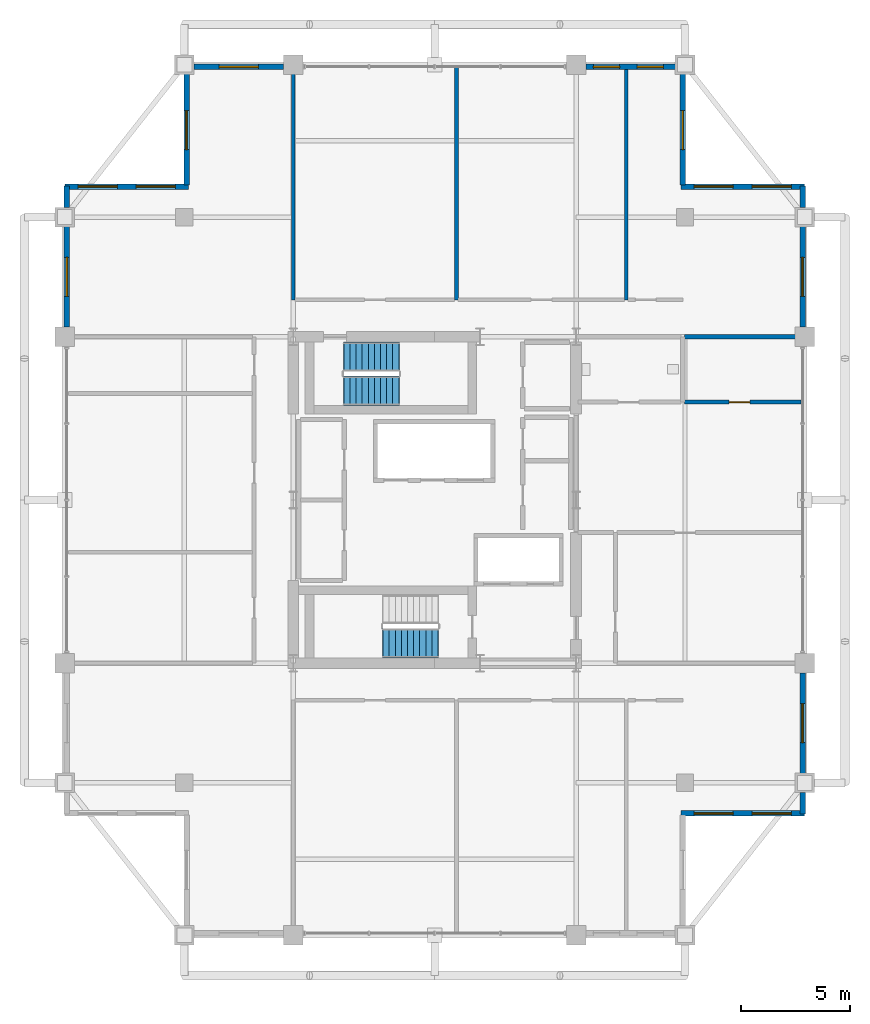
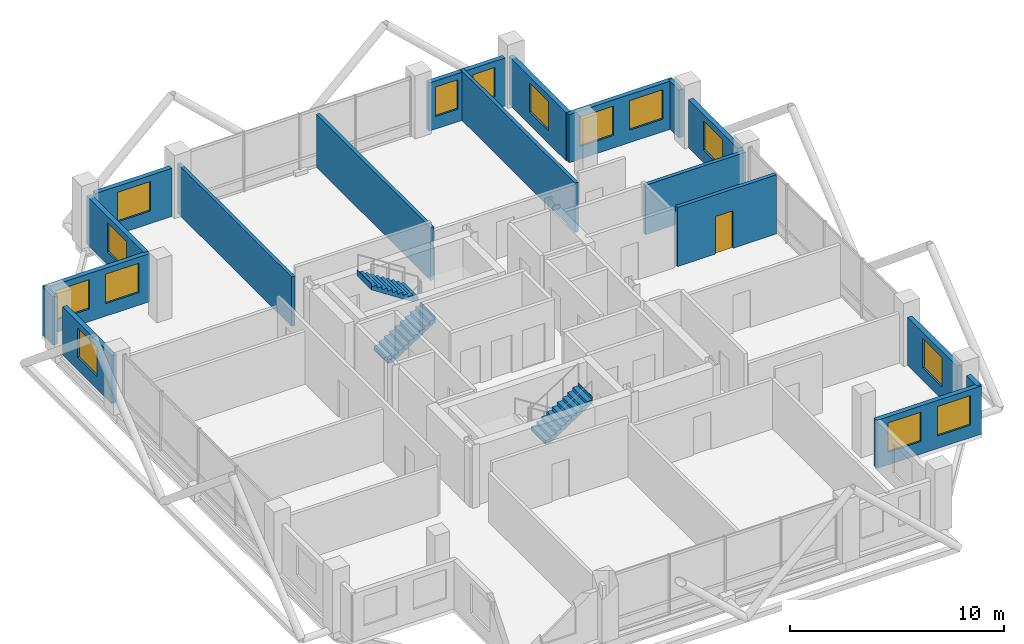
# One storey, part 21 of 24: 18 walls, 14 windows, 3 stair flights, 1 door, 15 openings, 2 elements without a shape of their own.
"""IFC4 building model written with IfcOpenShell, lengths in metres."""

import ifcopenshell
import ifcopenshell.guid

model = None  # the IFC model being written
_history = None  # IfcOwnerHistory: only IFC2X3 demands one
_inside = {}  # id of a spatial element -> (the spatial element, [elements in it])
_under = {}  # id of a project, library or spatial element -> (it, [spatial elements below it])
_declared = {}  # id of a project -> (the project, [libraries it declares])
_typed = {}  # id of a type object -> (the type object, [elements of that type])
_made_of = {}  # id of a material, layer set ... -> (it, [elements and type objects made of it])


def new_model(schema):
    """Start an empty IFC model of exactly this schema.

    Asked for "IFC4X3", IfcOpenShell would pick the latest addendum, in which some entities
    have other attributes; the version numbers below select the first issue.
    IFC2X3 requires an IfcOwnerHistory on every rooted entity: one is made here for all.
    """
    global model, _history
    if schema == "IFC4X3":
        model = ifcopenshell.file(schema_version=(4, 3, 0, 0))
    else:
        model = ifcopenshell.file(schema=schema)
    _inside.clear()
    _under.clear()
    _declared.clear()
    _typed.clear()
    _made_of.clear()
    _history = None
    if model.schema == "IFC2X3":
        org = make("IfcOrganization", Name="unknown")
        user = make(
            "IfcPersonAndOrganization",
            ThePerson=make("IfcPerson", FamilyName="unknown"),
            TheOrganization=org,
        )
        app = make(
            "IfcApplication",
            ApplicationDeveloper=org,
            Version="unknown",
            ApplicationFullName="unknown",
            ApplicationIdentifier="unknown",
        )
        _history = make(
            "IfcOwnerHistory",
            OwningUser=user,
            OwningApplication=app,
            ChangeAction="ADDED",
            CreationDate=0,
        )
    return model


def make(cls, **values):
    """One entity of the class cls with the attributes given. An attribute that is None is left unset."""
    return model.create_entity(
        cls, **{name: value for name, value in values.items() if value is not None}
    )


def rooted(cls, **values):
    """An entity with a GlobalId (a new one), such as an element, a storey or a relation."""
    return make(cls, GlobalId=ifcopenshell.guid.new(), OwnerHistory=_history, **values)


def si_unit(unit_type, name, prefix=None):
    """IfcSIUnit, for example si_unit("LENGTHUNIT", "METRE", prefix="MILLI")."""
    return make("IfcSIUnit", UnitType=unit_type, Prefix=prefix, Name=name)


def assignment(units):
    """IfcUnitAssignment: the units of a project."""
    return None if units is None else make("IfcUnitAssignment", Units=units)


def point(xyz):
    """IfcCartesianPoint."""
    return None if xyz is None else make("IfcCartesianPoint", Coordinates=xyz)


def direction(xyz):
    """IfcDirection."""
    return None if xyz is None else make("IfcDirection", DirectionRatios=xyz)


def frame(location, z_axis=None, x_axis=None):
    """IfcAxis2Placement3D, a coordinate frame: its origin and axes. An axis left out is left unset."""
    return make(
        "IfcAxis2Placement3D",
        Location=point(location),
        Axis=direction(z_axis),
        RefDirection=direction(x_axis),
    )


def frame_2d(location, x_axis=None):
    """IfcAxis2Placement2D, a coordinate frame in the plane: its origin and x axis."""
    return make(
        "IfcAxis2Placement2D", Location=point(location), RefDirection=direction(x_axis)
    )


def origin():
    """The frame at (0, 0, 0) with its axes left unset."""
    return frame((0.0, 0.0, 0.0))


def place(relative_to, where):
    """IfcLocalPlacement: puts the frame where relative to a parent placement (None: the world)."""
    return make(
        "IfcLocalPlacement", PlacementRelTo=relative_to, RelativePlacement=where
    )


def context(
    kind, dimensions, precision=None, world=None, true_north=None, identifier=None
):
    """IfcGeometricRepresentationContext, for example the 3D "Model" context."""
    return make(
        "IfcGeometricRepresentationContext",
        ContextIdentifier=identifier,
        ContextType=kind,
        CoordinateSpaceDimension=dimensions,
        Precision=precision,
        WorldCoordinateSystem=world,
        TrueNorth=true_north,
    )


def subcontext(parent, identifier, kind, view, scale=None):
    """IfcGeometricRepresentationSubContext, for example "Body" below "Model"."""
    return make(
        "IfcGeometricRepresentationSubContext",
        ContextIdentifier=identifier,
        ContextType=kind,
        ParentContext=parent,
        TargetScale=scale,
        TargetView=view,
    )


def project(units=None, contexts=None):
    """IfcProject with its units and contexts."""
    return rooted(
        "IfcProject",
        Name="project",
        RepresentationContexts=contexts,
        UnitsInContext=assignment(units),
    )


def spatial(cls, under=None, at=None, **own):
    """A site, building, storey or space (cls), placed at a placement, below another one or the project."""
    s = rooted(cls, ObjectPlacement=at, **own)
    if under is not None:
        _under.setdefault(under.id(), (under, []))[1].append(s)
    return s


def polyline(points):
    """IfcPolyline through the points."""
    return make("IfcPolyline", Points=[point(p) for p in points])


def profile(cls, at=None, kind="AREA", **sizes):
    """A parametric profile (cls). Its sizes go by their IFC names, for example OverallWidth=200.0."""
    return make(cls, ProfileType=kind, Position=at, **sizes)


def rectangle(**sizes):
    """IfcRectangleProfileDef."""
    return profile("IfcRectangleProfileDef", **sizes)


def outline(outer, holes=None, kind="AREA"):
    """IfcArbitraryClosedProfileDef: a profile drawn as a closed curve; with holes, ...WithVoids."""
    if holes is None:
        return make("IfcArbitraryClosedProfileDef", ProfileType=kind, OuterCurve=outer)
    return make(
        "IfcArbitraryProfileDefWithVoids",
        ProfileType=kind,
        OuterCurve=outer,
        InnerCurves=holes,
    )


def extrude(swept, where, along, depth):
    """IfcExtrudedAreaSolid: the profile swept, set in the frame where, extruded along a direction by depth."""
    return make(
        "IfcExtrudedAreaSolid",
        SweptArea=swept,
        Position=where,
        ExtrudedDirection=direction(along),
        Depth=depth,
    )


def shape(context_of_items, identifier, shape_type, items):
    """IfcShapeRepresentation: the items that make up one representation, for example the "Body"."""
    return make(
        "IfcShapeRepresentation",
        ContextOfItems=context_of_items,
        RepresentationIdentifier=identifier,
        RepresentationType=shape_type,
        Items=items,
    )


def material(Name=None, Category=None):
    """IfcMaterial."""
    return make("IfcMaterial", Name=Name, Category=Category)


def layer(
    of_material, thickness, ventilated=None, Name=None, Category=None, Priority=None
):
    """IfcMaterialLayer: one layer of a wall or slab, of a material (None: an air gap)."""
    return make(
        "IfcMaterialLayer",
        Material=of_material,
        LayerThickness=thickness,
        IsVentilated=ventilated,
        Name=Name,
        Category=Category,
        Priority=Priority,
    )


def layer_set(layers, Name=None):
    """IfcMaterialLayerSet."""
    return make("IfcMaterialLayerSet", MaterialLayers=layers, LayerSetName=Name)


def made_of(thing, what):
    """Note that an element or type object is made of a material, layer set ...; save() writes the relation."""
    if what is not None:
        _made_of.setdefault(what.id(), (what, []))[1].append(thing)
    return thing


def type_object(cls, material=None, **own):
    """A type object (cls), such as IfcWallType, which elements share."""
    return made_of(rooted(cls, **own), material)


def element(
    cls,
    number,
    at=None,
    inside=None,
    cuts=None,
    type_object=None,
    material=None,
    context=None,
    identifier="Body",
    shape_type=None,
    held_by="IfcProductDefinitionShape",
    body=None,
    shapes=None,
    **own,
):
    """One element of the class cls, such as IfcWall. Its Tag is "e" and its number.

    at: its placement. inside: the storey or other place that contains it. cuts: it is an
    opening in that element (IfcRelVoidsElement). A single representation is given by context,
    identifier, shape_type and body (its items); several are given by shapes. held_by: the class
    of the entity that holds the representations. save() writes the other relations.
    """
    e = rooted(cls, Tag="e%d" % number, ObjectPlacement=at, **own)
    if body is not None:
        shapes = [shape(context, identifier, shape_type, body)]
    if shapes is not None:
        e.Representation = make(held_by, Representations=shapes)
    if inside is not None:
        _inside.setdefault(inside.id(), (inside, []))[1].append(e)
    if cuts is not None:
        rooted(
            "IfcRelVoidsElement", RelatingBuildingElement=cuts, RelatedOpeningElement=e
        )
    if type_object is not None:
        _typed.setdefault(type_object.id(), (type_object, []))[1].append(e)
    return made_of(e, material)


def fill(opening, filler):
    """IfcRelFillsElement: the door or window that sits in an opening."""
    return rooted(
        "IfcRelFillsElement",
        RelatingOpeningElement=opening,
        RelatedBuildingElement=filler,
    )


def aggregate(whole, parts):
    """IfcRelAggregates: a whole, such as a stair, and the parts it consists of."""
    return rooted("IfcRelAggregates", RelatingObject=whole, RelatedObjects=parts)


def save(model, path):
    """Write the relations noted so far, then the file.

    IfcRelAggregates (storeys below a building ...), IfcRelContainedInSpatialStructure (elements
    in a storey), IfcRelDefinesByType, IfcRelAssociatesMaterial and IfcRelDeclares: one each for
    every whole, place, type object, material and project.
    """
    for whole, parts in _under.values():
        aggregate(whole, parts)
    for where, things in _inside.values():
        rooted(
            "IfcRelContainedInSpatialStructure",
            RelatedElements=things,
            RelatingStructure=where,
        )
    for kind, things in _typed.values():
        rooted("IfcRelDefinesByType", RelatedObjects=things, RelatingType=kind)
    for what, things in _made_of.values():
        rooted("IfcRelAssociatesMaterial", RelatedObjects=things, RelatingMaterial=what)
    for by, libraries in _declared.values():
        rooted("IfcRelDeclares", RelatingContext=by, RelatedDefinitions=libraries)
    model.write(path)


model = new_model("IFC4")

# Units and contexts
model_context = context("Model", 3, precision=1e-05, world=origin(), true_north=direction((0.0, 1.0)))
body_context = subcontext(model_context, "Body", "Model", "MODEL_VIEW")
ifc_project = project(units=[si_unit("LENGTHUNIT", "METRE"), si_unit("AREAUNIT", "SQUARE_METRE"), si_unit("VOLUMEUNIT", "CUBIC_METRE"), si_unit("PLANEANGLEUNIT", "RADIAN"), si_unit("MASSUNIT", "GRAM", prefix="KILO")], contexts=[model_context])

# Site, building, storey
site_placement = place(None, origin())
site = spatial("IfcSite", under=ifc_project, at=site_placement, CompositionType="ELEMENT")
building_placement = place(site_placement, origin())
building = spatial("IfcBuilding", under=site, at=building_placement, Name="Barlavira Tower and Art Museum", CompositionType="ELEMENT")
storey_placement = place(building_placement, frame((0.0, 0.0, 272.699951171875)))
storey = spatial("IfcBuildingStorey", under=building, at=storey_placement, Name="L71", CompositionType="ELEMENT", Elevation=272.699951171875)

# Wall, opening, door
ifc_material_1 = material(Name="Autoclaved aerated concrete masonry", Category="masonry")
ifc_layer_1 = layer(ifc_material_1, 0.199951171875, Name="Autoclaved aerated concrete masonry")
ifc_layer_set_1 = layer_set([ifc_layer_1], Name="Autoclaved aerated concrete masonry")
wall_type_1 = type_object("IfcWallType", Name="Fire Compartment and Shaft Wall 200", PredefinedType="SOLIDWALL", material=ifc_layer_set_1)
wall_1_placement = place(storey_placement, frame((11.47998046875, 4.5, 0.0), z_axis=(0.0, 0.0, 1.0), x_axis=(1.0, 0.0, 0.0)))
wall_1 = element("IfcWall", 1, at=wall_1_placement, inside=storey, type_object=wall_type_1, Name="L71 Partition Wall 31", PredefinedType="SOLIDWALL", context=body_context, shape_type="SweptSolid", body=[
    extrude(rectangle(XDim=5.340087890625, YDim=0.199951171875, at=frame_2d((2.669921875, 0.0))), origin(), (0.0, 0.0, 1.0), 3.380126953125),
])
opening_1_placement = place(wall_1_placement, frame((2.044921875, 0.0, 0.0)))
opening_1 = element("IfcOpeningElement", 2, at=opening_1_placement, cuts=wall_1, Name="Opening FD-60", PredefinedType="OPENING", context=body_context, shape_type="SweptSolid", body=[
    extrude(rectangle(XDim=0.949951171875, YDim=2.14990234375, at=frame_2d((0.47509765625, 1.074951171875))), frame((0.0, 0.10986328125, 0.0), z_axis=(0.0, -1.0, 0.0), x_axis=(1.0, 0.0, 0.0)), (0.0, 0.0, 1.0), 0.219970703125),
])
ifc_material_2 = material(Name="Brushed stainless steel", Category="steel")
door_type = type_object("IfcDoorType", Name="Apartment Entrance and Riser Fire Door 950x2150 FD60S", OperationType="NOTDEFINED", PredefinedType="DOOR", material=ifc_material_2)
door_placement = place(opening_1_placement, origin())
door = element("IfcDoor", 3, at=door_placement, inside=storey, type_object=door_type, Name="High-Rise Amenity Linen Store Door", OperationType="SINGLE_SWING_LEFT", OverallHeight=2.14990234375, OverallWidth=0.949951171875, PredefinedType="DOOR", context=body_context, shape_type="SweptSolid", body=[
    extrude(rectangle(XDim=0.949951171875, YDim=2.14990234375, at=frame_2d((0.47509765625, 1.074951171875))), frame((0.0, 0.02490234375, 0.0), z_axis=(0.0, -1.0, 0.0), x_axis=(1.0, 0.0, 0.0)), (0.0, 0.0, 1.0), 0.050048828125),
])
fill(opening_1, door)

# Walls
wall_2_placement = place(storey_placement, frame((11.47998046875, 7.5, 0.0), z_axis=(0.0, 0.0, 1.0), x_axis=(1.0, 0.0, 0.0)))
element("IfcWall", 4, at=wall_2_placement, inside=storey, type_object=wall_type_1, Name="L71 Partition Wall 36", PredefinedType="SOLIDWALL", context=body_context, shape_type="SweptSolid", body=[
    extrude(rectangle(XDim=5.419921875, YDim=0.199951171875, at=frame_2d((2.7099609375, 0.0))), origin(), (0.0, 0.0, 1.0), 2.825927734375),
])
ifc_material_3 = material(Name="Gypsum acoustic stud partition", Category="gypsum")
ifc_layer_2 = layer(ifc_material_3, 0.179931640625, Name="Gypsum acoustic stud partition")
ifc_layer_set_2 = layer_set([ifc_layer_2], Name="Gypsum acoustic stud partition")
wall_type_2 = type_object("IfcWallType", Name="Inter-Tenancy Party Partition Wall 180", PredefinedType="PARTITIONING", material=ifc_layer_set_2)
wall_3_placement = place(storey_placement, frame((-6.5, 9.199951171875, 0.0), z_axis=(0.0, 0.0, 1.0), x_axis=(0.0, 1.0, 0.0)))
element("IfcWall", 5, at=wall_3_placement, inside=storey, type_object=wall_type_2, Name="L71 Partition Wall 3", PredefinedType="PARTITIONING", context=body_context, shape_type="SweptSolid", body=[
    extrude(rectangle(XDim=10.699951171875, YDim=0.179931640625, at=frame_2d((5.35009765625, 0.0))), origin(), (0.0, 0.0, 1.0), 2.825927734375),
])
wall_4_placement = place(storey_placement, frame((1.0, 9.199951171875, 0.0), z_axis=(0.0, 0.0, 1.0), x_axis=(0.0, 1.0, 0.0)))
element("IfcWall", 6, at=wall_4_placement, inside=storey, type_object=wall_type_2, Name="L71 Partition Wall 7", PredefinedType="PARTITIONING", context=body_context, shape_type="SweptSolid", body=[
    extrude(rectangle(XDim=10.699951171875, YDim=0.179931640625, at=frame_2d((5.35009765625, 0.0))), origin(), (0.0, 0.0, 1.0), 3.01806640625),
])
wall_5_placement = place(storey_placement, frame((8.800048828125, 9.199951171875, 0.0), z_axis=(0.0, 0.0, 1.0), x_axis=(0.0, 1.0, 0.0)))
element("IfcWall", 7, at=wall_5_placement, inside=storey, type_object=wall_type_2, Name="L71 Partition Wall 14", PredefinedType="PARTITIONING", context=body_context, shape_type="SweptSolid", body=[
    extrude(rectangle(XDim=10.699951171875, YDim=0.179931640625, at=frame_2d((5.35009765625, 0.0))), origin(), (0.0, 0.0, 1.0), 2.825927734375),
])

# Wall, openings, windows
ifc_material_4 = material(Name="Precast concrete C40", Category="concrete")
ifc_layer_3 = layer(ifc_material_4, 0.25, Name="Precast concrete C40")
ifc_layer_set_3 = layer_set([ifc_layer_3], Name="Precast concrete C40")
wall_type_3 = type_object("IfcWallType", Name="Notched Corner Spandrel Wall 250 Precast Concrete C40", PredefinedType="SOLIDWALL", material=ifc_layer_set_3)
wall_6_placement = place(storey_placement, frame((11.054931640625, 19.89990234375, 0.0), z_axis=(0.0, 0.0, 1.0), x_axis=(-1.0, 0.0, 0.0)))
wall_6 = element("IfcWall", 8, at=wall_6_placement, inside=storey, type_object=wall_type_3, Name="L71 Coastal Facade Pier Wall CW4-L71-N-1", PredefinedType="SOLIDWALL", context=body_context, shape_type="SweptSolid", body=[
    extrude(rectangle(XDim=4.10986328125, YDim=0.25, at=frame_2d((2.054931640625, 0.0))), origin(), (0.0, 0.0, 1.0), 2.748046875),
])
opening_2_placement = place(wall_6_placement, frame((0.550048828125, 0.0, 0.719970703125)))
opening_2 = element("IfcOpeningElement", 9, at=opening_2_placement, cuts=wall_6, Name="Opening WN-05", PredefinedType="OPENING", context=body_context, shape_type="SweptSolid", body=[
    extrude(rectangle(XDim=1.199951171875, YDim=1.679931640625, at=frame_2d((0.60009765625, 0.83984375))), frame((0.0, 0.135009765625, 0.0), z_axis=(0.0, -1.0, 0.0), x_axis=(1.0, 0.0, 0.0)), (0.0, 0.0, 1.0), 0.27001953125),
])
opening_3_placement = place(wall_6_placement, frame((2.56005859375, 0.0, 0.719970703125)))
opening_3 = element("IfcOpeningElement", 10, at=opening_3_placement, cuts=wall_6, Name="Opening WN-05", PredefinedType="OPENING", context=body_context, shape_type="SweptSolid", body=[
    extrude(rectangle(XDim=1.199951171875, YDim=1.679931640625, at=frame_2d((0.60009765625, 0.83984375))), frame((0.0, 0.135009765625, 0.0), z_axis=(0.0, -1.0, 0.0), x_axis=(1.0, 0.0, 0.0)), (0.0, 0.0, 1.0), 0.27001953125),
])
ifc_material_5 = material(Name="Low-iron coastal laminated glass", Category="glass")
window_type_1 = type_object("IfcWindowType", Name="Recessed Flank Pier Punch Window 1200x1680", PartitioningType="SINGLE_PANEL", PredefinedType="WINDOW", material=ifc_material_5)
window_1_placement = place(opening_2_placement, origin())
window_1 = element("IfcWindow", 11, at=window_1_placement, inside=storey, type_object=window_type_1, Name="L71 Punched Facade Window EWP-CW4-L71-N-1-1", OverallHeight=1.679931640625, OverallWidth=1.199951171875, PartitioningType="SINGLE_PANEL", PredefinedType="WINDOW", context=body_context, shape_type="SweptSolid", body=[
    extrude(rectangle(XDim=1.199951171875, YDim=1.679931640625, at=frame_2d((0.60009765625, 0.83984375))), frame((0.0, 0.030029296875, 0.0), z_axis=(0.0, -1.0, 0.0), x_axis=(1.0, 0.0, 0.0)), (0.0, 0.0, 1.0), 0.06005859375),
])
fill(opening_2, window_1)
window_2_placement = place(opening_3_placement, origin())
window_2 = element("IfcWindow", 12, at=window_2_placement, inside=storey, type_object=window_type_1, Name="L71 Punched Facade Window EWP-CW4-L71-N-1-2", OverallHeight=1.679931640625, OverallWidth=1.199951171875, PartitioningType="SINGLE_PANEL", PredefinedType="WINDOW", context=body_context, shape_type="SweptSolid", body=[
    extrude(rectangle(XDim=1.199951171875, YDim=1.679931640625, at=frame_2d((0.60009765625, 0.83984375))), frame((0.0, 0.030029296875, 0.0), z_axis=(0.0, -1.0, 0.0), x_axis=(1.0, 0.0, 0.0)), (0.0, 0.0, 1.0), 0.06005859375),
])
fill(opening_3, window_2)

# Wall, opening, window
wall_7_placement = place(storey_placement, frame((-6.945068359375, 19.89990234375, 0.0), z_axis=(0.0, 0.0, 1.0), x_axis=(-1.0, 0.0, 0.0)))
wall_7 = element("IfcWall", 13, at=wall_7_placement, inside=storey, type_object=wall_type_3, Name="L71 Coastal Facade Pier Wall CW4-L71-N-3", PredefinedType="SOLIDWALL", context=body_context, shape_type="SweptSolid", body=[
    extrude(rectangle(XDim=4.10986328125, YDim=0.25, at=frame_2d((2.054931640625, 0.0))), origin(), (0.0, 0.0, 1.0), 2.748046875),
])
opening_4_placement = place(wall_7_placement, frame((1.155029296875, 0.0, 0.719970703125)))
opening_4 = element("IfcOpeningElement", 14, at=opening_4_placement, cuts=wall_7, Name="Opening WN-01", PredefinedType="OPENING", context=body_context, shape_type="SweptSolid", body=[
    extrude(rectangle(XDim=1.800048828125, YDim=1.679931640625, at=frame_2d((0.89990234375, 0.83984375))), frame((0.0, 0.135009765625, 0.0), z_axis=(0.0, -1.0, 0.0), x_axis=(1.0, 0.0, 0.0)), (0.0, 0.0, 1.0), 0.27001953125),
])
window_type_2 = type_object("IfcWindowType", Name="Recessed Notch Corner Punch Window 1800x1680", PartitioningType="SINGLE_PANEL", PredefinedType="WINDOW", material=ifc_material_5)
window_3_placement = place(opening_4_placement, origin())
window_3 = element("IfcWindow", 15, at=window_3_placement, inside=storey, type_object=window_type_2, Name="L71 Punched Facade Window EWP-CW4-L71-N-3-1", OverallHeight=1.679931640625, OverallWidth=1.800048828125, PartitioningType="SINGLE_PANEL", PredefinedType="WINDOW", context=body_context, shape_type="SweptSolid", body=[
    extrude(rectangle(XDim=1.800048828125, YDim=1.679931640625, at=frame_2d((0.89990234375, 0.83984375))), frame((0.0, 0.030029296875, 0.0), z_axis=(0.0, -1.0, 0.0), x_axis=(1.0, 0.0, 0.0)), (0.0, 0.0, 1.0), 0.06005859375),
])
fill(opening_4, window_3)

# Wall
wall_8_placement = place(storey_placement, frame((-16.89990234375, 14.425048828125, 0.0), z_axis=(0.0, 0.0, 1.0), x_axis=(0.0, -1.0, 0.0)))
element("IfcWall", 16, at=wall_8_placement, inside=storey, type_object=wall_type_3, Name="L71 Coastal Facade Pier Wall CW4-L71-W-1", PredefinedType="SOLIDWALL", context=body_context, shape_type="SweptSolid", body=[
    extrude(rectangle(XDim=0.97998046875, YDim=0.25, at=frame_2d((0.489990234375, 0.0))), origin(), (0.0, 0.0, 1.0), 2.748046875),
])

# Wall, opening, window
wall_9_placement = place(storey_placement, frame((-16.89990234375, 12.554931640625, 0.0), z_axis=(0.0, 0.0, 1.0), x_axis=(0.0, -1.0, 0.0)))
wall_9 = element("IfcWall", 17, at=wall_9_placement, inside=storey, type_object=wall_type_3, Name="L71 Coastal Facade Pier Wall CW4-L71-W-2", PredefinedType="SOLIDWALL", context=body_context, shape_type="SweptSolid", body=[
    extrude(rectangle(XDim=4.60986328125, YDim=0.25, at=frame_2d((2.304931640625, 0.0))), origin(), (0.0, 0.0, 1.0), 2.748046875),
])
opening_5_placement = place(wall_9_placement, frame((1.405029296875, 0.0, 0.719970703125)))
opening_5 = element("IfcOpeningElement", 18, at=opening_5_placement, cuts=wall_9, Name="Opening WN-01", PredefinedType="OPENING", context=body_context, shape_type="SweptSolid", body=[
    extrude(rectangle(XDim=1.800048828125, YDim=1.679931640625, at=frame_2d((0.89990234375, 0.83984375))), frame((0.0, 0.135009765625, 0.0), z_axis=(0.0, -1.0, 0.0), x_axis=(1.0, 0.0, 0.0)), (0.0, 0.0, 1.0), 0.27001953125),
])
window_4_placement = place(opening_5_placement, origin())
window_4 = element("IfcWindow", 19, at=window_4_placement, inside=storey, type_object=window_type_2, Name="L71 Punched Facade Window EWP-CW4-L71-W-2-1", OverallHeight=1.679931640625, OverallWidth=1.800048828125, PartitioningType="SINGLE_PANEL", PredefinedType="WINDOW", context=body_context, shape_type="SweptSolid", body=[
    extrude(rectangle(XDim=1.800048828125, YDim=1.679931640625, at=frame_2d((0.89990234375, 0.83984375))), frame((0.0, 0.030029296875, 0.0), z_axis=(0.0, -1.0, 0.0), x_axis=(1.0, 0.0, 0.0)), (0.0, 0.0, 1.0), 0.06005859375),
])
fill(opening_5, window_4)

# Wall
wall_10_placement = place(storey_placement, frame((16.89990234375, -14.425048828125, 0.0), z_axis=(0.0, 0.0, 1.0), x_axis=(0.0, 1.0, 0.0)))
element("IfcWall", 20, at=wall_10_placement, inside=storey, type_object=wall_type_3, Name="L71 Coastal Facade Pier Wall CW4-L71-E-1", PredefinedType="SOLIDWALL", context=body_context, shape_type="SweptSolid", body=[
    extrude(rectangle(XDim=0.97998046875, YDim=0.25, at=frame_2d((0.489990234375, 0.0))), origin(), (0.0, 0.0, 1.0), 2.748046875),
])

# Wall, opening, window
wall_11_placement = place(storey_placement, frame((16.89990234375, -12.554931640625, 0.0), z_axis=(0.0, 0.0, 1.0), x_axis=(0.0, 1.0, 0.0)))
wall_11 = element("IfcWall", 21, at=wall_11_placement, inside=storey, type_object=wall_type_3, Name="L71 Coastal Facade Pier Wall CW4-L71-E-2", PredefinedType="SOLIDWALL", context=body_context, shape_type="SweptSolid", body=[
    extrude(rectangle(XDim=4.60986328125, YDim=0.25, at=frame_2d((2.304931640625, 0.0))), origin(), (0.0, 0.0, 1.0), 2.748046875),
])
opening_6_placement = place(wall_11_placement, frame((1.405029296875, 0.0, 0.719970703125)))
opening_6 = element("IfcOpeningElement", 22, at=opening_6_placement, cuts=wall_11, Name="Opening WN-01", PredefinedType="OPENING", context=body_context, shape_type="SweptSolid", body=[
    extrude(rectangle(XDim=1.800048828125, YDim=1.679931640625, at=frame_2d((0.89990234375, 0.83984375))), frame((0.0, 0.135009765625, 0.0), z_axis=(0.0, -1.0, 0.0), x_axis=(1.0, 0.0, 0.0)), (0.0, 0.0, 1.0), 0.27001953125),
])
window_5_placement = place(opening_6_placement, origin())
window_5 = element("IfcWindow", 23, at=window_5_placement, inside=storey, type_object=window_type_2, Name="L71 Punched Facade Window EWP-CW4-L71-E-2-1", OverallHeight=1.679931640625, OverallWidth=1.800048828125, PartitioningType="SINGLE_PANEL", PredefinedType="WINDOW", context=body_context, shape_type="SweptSolid", body=[
    extrude(rectangle(XDim=1.800048828125, YDim=1.679931640625, at=frame_2d((0.89990234375, 0.83984375))), frame((0.0, 0.030029296875, 0.0), z_axis=(0.0, -1.0, 0.0), x_axis=(1.0, 0.0, 0.0)), (0.0, 0.0, 1.0), 0.06005859375),
])
fill(opening_6, window_5)

wall_12_placement = place(storey_placement, frame((16.89990234375, 7.945068359375, 0.0), z_axis=(0.0, 0.0, 1.0), x_axis=(0.0, 1.0, 0.0)))
wall_12 = element("IfcWall", 24, at=wall_12_placement, inside=storey, type_object=wall_type_3, Name="L71 Coastal Facade Pier Wall CW4-L71-E-4", PredefinedType="SOLIDWALL", context=body_context, shape_type="SweptSolid", body=[
    extrude(rectangle(XDim=4.60986328125, YDim=0.25, at=frame_2d((2.304931640625, 0.0))), origin(), (0.0, 0.0, 1.0), 2.748046875),
])
opening_7_placement = place(wall_12_placement, frame((1.405029296875, 0.0, 0.719970703125)))
opening_7 = element("IfcOpeningElement", 25, at=opening_7_placement, cuts=wall_12, Name="Opening WN-01", PredefinedType="OPENING", context=body_context, shape_type="SweptSolid", body=[
    extrude(rectangle(XDim=1.800048828125, YDim=1.679931640625, at=frame_2d((0.89990234375, 0.83984375))), frame((0.0, 0.135009765625, 0.0), z_axis=(0.0, -1.0, 0.0), x_axis=(1.0, 0.0, 0.0)), (0.0, 0.0, 1.0), 0.27001953125),
])
window_6_placement = place(opening_7_placement, origin())
window_6 = element("IfcWindow", 26, at=window_6_placement, inside=storey, type_object=window_type_2, Name="L71 Punched Facade Window EWP-CW4-L71-E-4-1", OverallHeight=1.679931640625, OverallWidth=1.800048828125, PartitioningType="SINGLE_PANEL", PredefinedType="WINDOW", context=body_context, shape_type="SweptSolid", body=[
    extrude(rectangle(XDim=1.800048828125, YDim=1.679931640625, at=frame_2d((0.89990234375, 0.83984375))), frame((0.0, 0.030029296875, 0.0), z_axis=(0.0, -1.0, 0.0), x_axis=(1.0, 0.0, 0.0)), (0.0, 0.0, 1.0), 0.06005859375),
])
fill(opening_7, window_6)

# Wall
wall_13_placement = place(storey_placement, frame((16.89990234375, 13.445068359375, 0.0), z_axis=(0.0, 0.0, 1.0), x_axis=(0.0, 1.0, 0.0)))
element("IfcWall", 27, at=wall_13_placement, inside=storey, type_object=wall_type_3, Name="L71 Coastal Facade Pier Wall CW4-L71-E-5", PredefinedType="SOLIDWALL", context=body_context, shape_type="SweptSolid", body=[
    extrude(rectangle(XDim=0.97998046875, YDim=0.25, at=frame_2d((0.489990234375, 0.0))), origin(), (0.0, 0.0, 1.0), 2.748046875),
])

# Wall, openings, windows
wall_14_placement = place(storey_placement, frame((11.320068359375, -14.39990234375, 0.0), z_axis=(0.0, 0.0, 1.0), x_axis=(1.0, 0.0, 0.0)))
wall_14 = element("IfcWall", 28, at=wall_14_placement, inside=storey, type_object=wall_type_3, Name="L71 Notch Corner Wall SE2", PredefinedType="SOLIDWALL", context=body_context, shape_type="SweptSolid", body=[
    extrude(rectangle(XDim=5.659912109375, YDim=0.25, at=frame_2d((2.830078125, 0.0))), origin(), (0.0, 0.0, 1.0), 2.748046875),
])
opening_8_placement = place(wall_14_placement, frame((0.594970703125, 0.0, 0.719970703125)))
opening_8 = element("IfcOpeningElement", 29, at=opening_8_placement, cuts=wall_14, Name="Opening WN-01", PredefinedType="OPENING", context=body_context, shape_type="SweptSolid", body=[
    extrude(rectangle(XDim=1.800048828125, YDim=1.679931640625, at=frame_2d((0.89990234375, 0.83984375))), frame((0.0, 0.135009765625, 0.0), z_axis=(0.0, -1.0, 0.0), x_axis=(1.0, 0.0, 0.0)), (0.0, 0.0, 1.0), 0.27001953125),
])
opening_9_placement = place(wall_14_placement, frame((3.264892578125, 0.0, 0.719970703125)))
opening_9 = element("IfcOpeningElement", 30, at=opening_9_placement, cuts=wall_14, Name="Opening WN-01", PredefinedType="OPENING", context=body_context, shape_type="SweptSolid", body=[
    extrude(rectangle(XDim=1.800048828125, YDim=1.679931640625, at=frame_2d((0.89990234375, 0.83984375))), frame((0.0, 0.135009765625, 0.0), z_axis=(0.0, -1.0, 0.0), x_axis=(1.0, 0.0, 0.0)), (0.0, 0.0, 1.0), 0.27001953125),
])
window_7_placement = place(opening_8_placement, origin())
window_7 = element("IfcWindow", 31, at=window_7_placement, inside=storey, type_object=window_type_2, Name="L71 Punched Facade Window EW-NTC-L71-SE2-1", OverallHeight=1.679931640625, OverallWidth=1.800048828125, PartitioningType="SINGLE_PANEL", PredefinedType="WINDOW", context=body_context, shape_type="SweptSolid", body=[
    extrude(rectangle(XDim=1.800048828125, YDim=1.679931640625, at=frame_2d((0.89990234375, 0.83984375))), frame((0.0, 0.030029296875, 0.0), z_axis=(0.0, -1.0, 0.0), x_axis=(1.0, 0.0, 0.0)), (0.0, 0.0, 1.0), 0.06005859375),
])
fill(opening_8, window_7)
window_8_placement = place(opening_9_placement, origin())
window_8 = element("IfcWindow", 32, at=window_8_placement, inside=storey, type_object=window_type_2, Name="L71 Punched Facade Window EW-NTC-L71-SE2-2", OverallHeight=1.679931640625, OverallWidth=1.800048828125, PartitioningType="SINGLE_PANEL", PredefinedType="WINDOW", context=body_context, shape_type="SweptSolid", body=[
    extrude(rectangle(XDim=1.800048828125, YDim=1.679931640625, at=frame_2d((0.89990234375, 0.83984375))), frame((0.0, 0.030029296875, 0.0), z_axis=(0.0, -1.0, 0.0), x_axis=(1.0, 0.0, 0.0)), (0.0, 0.0, 1.0), 0.06005859375),
])
fill(opening_9, window_8)

wall_15_placement = place(storey_placement, frame((16.97998046875, 14.39990234375, 0.0), z_axis=(0.0, 0.0, 1.0), x_axis=(-1.0, 0.0, 0.0)))
wall_15 = element("IfcWall", 33, at=wall_15_placement, inside=storey, type_object=wall_type_3, Name="L71 Notch Corner Wall NE1", PredefinedType="SOLIDWALL", context=body_context, shape_type="SweptSolid", body=[
    extrude(rectangle(XDim=5.659912109375, YDim=0.25, at=frame_2d((2.830078125, 0.0))), origin(), (0.0, 0.0, 1.0), 2.748046875),
])
opening_10_placement = place(wall_15_placement, frame((0.594970703125, 0.0, 0.719970703125)))
opening_10 = element("IfcOpeningElement", 34, at=opening_10_placement, cuts=wall_15, Name="Opening WN-01", PredefinedType="OPENING", context=body_context, shape_type="SweptSolid", body=[
    extrude(rectangle(XDim=1.800048828125, YDim=1.679931640625, at=frame_2d((0.89990234375, 0.83984375))), frame((0.0, 0.135009765625, 0.0), z_axis=(0.0, -1.0, 0.0), x_axis=(1.0, 0.0, 0.0)), (0.0, 0.0, 1.0), 0.27001953125),
])
opening_11_placement = place(wall_15_placement, frame((3.264892578125, 0.0, 0.719970703125)))
opening_11 = element("IfcOpeningElement", 35, at=opening_11_placement, cuts=wall_15, Name="Opening WN-01", PredefinedType="OPENING", context=body_context, shape_type="SweptSolid", body=[
    extrude(rectangle(XDim=1.800048828125, YDim=1.679931640625, at=frame_2d((0.89990234375, 0.83984375))), frame((0.0, 0.135009765625, 0.0), z_axis=(0.0, -1.0, 0.0), x_axis=(1.0, 0.0, 0.0)), (0.0, 0.0, 1.0), 0.27001953125),
])
window_9_placement = place(opening_10_placement, origin())
window_9 = element("IfcWindow", 36, at=window_9_placement, inside=storey, type_object=window_type_2, Name="L71 Punched Facade Window EW-NTC-L71-NE1-1", OverallHeight=1.679931640625, OverallWidth=1.800048828125, PartitioningType="SINGLE_PANEL", PredefinedType="WINDOW", context=body_context, shape_type="SweptSolid", body=[
    extrude(rectangle(XDim=1.800048828125, YDim=1.679931640625, at=frame_2d((0.89990234375, 0.83984375))), frame((0.0, 0.030029296875, 0.0), z_axis=(0.0, -1.0, 0.0), x_axis=(1.0, 0.0, 0.0)), (0.0, 0.0, 1.0), 0.06005859375),
])
fill(opening_10, window_9)
window_10_placement = place(opening_11_placement, origin())
window_10 = element("IfcWindow", 37, at=window_10_placement, inside=storey, type_object=window_type_2, Name="L71 Punched Facade Window EW-NTC-L71-NE1-2", OverallHeight=1.679931640625, OverallWidth=1.800048828125, PartitioningType="SINGLE_PANEL", PredefinedType="WINDOW", context=body_context, shape_type="SweptSolid", body=[
    extrude(rectangle(XDim=1.800048828125, YDim=1.679931640625, at=frame_2d((0.89990234375, 0.83984375))), frame((0.0, 0.030029296875, 0.0), z_axis=(0.0, -1.0, 0.0), x_axis=(1.0, 0.0, 0.0)), (0.0, 0.0, 1.0), 0.06005859375),
])
fill(opening_11, window_10)

# Wall, opening, window
wall_16_placement = place(storey_placement, frame((11.39990234375, 14.47998046875, 0.0), z_axis=(0.0, 0.0, 1.0), x_axis=(0.0, 1.0, 0.0)))
wall_16 = element("IfcWall", 38, at=wall_16_placement, inside=storey, type_object=wall_type_3, Name="L71 Notch Corner Wall NE2", PredefinedType="SOLIDWALL", context=body_context, shape_type="SweptSolid", body=[
    extrude(rectangle(XDim=5.340087890625, YDim=0.25, at=frame_2d((2.669921875, 0.0))), origin(), (0.0, 0.0, 1.0), 2.748046875),
])
opening_12_placement = place(wall_16_placement, frame((1.614990234375, 0.0, 0.719970703125)))
opening_12 = element("IfcOpeningElement", 39, at=opening_12_placement, cuts=wall_16, Name="Opening WN-01", PredefinedType="OPENING", context=body_context, shape_type="SweptSolid", body=[
    extrude(rectangle(XDim=1.800048828125, YDim=1.679931640625, at=frame_2d((0.89990234375, 0.83984375))), frame((0.0, 0.135009765625, 0.0), z_axis=(0.0, -1.0, 0.0), x_axis=(1.0, 0.0, 0.0)), (0.0, 0.0, 1.0), 0.27001953125),
])
window_11_placement = place(opening_12_placement, origin())
window_11 = element("IfcWindow", 40, at=window_11_placement, inside=storey, type_object=window_type_2, Name="L71 Punched Facade Window EW-NTC-L71-NE2-1", OverallHeight=1.679931640625, OverallWidth=1.800048828125, PartitioningType="SINGLE_PANEL", PredefinedType="WINDOW", context=body_context, shape_type="SweptSolid", body=[
    extrude(rectangle(XDim=1.800048828125, YDim=1.679931640625, at=frame_2d((0.89990234375, 0.83984375))), frame((0.0, 0.030029296875, 0.0), z_axis=(0.0, -1.0, 0.0), x_axis=(1.0, 0.0, 0.0)), (0.0, 0.0, 1.0), 0.06005859375),
])
fill(opening_12, window_11)

wall_17_placement = place(storey_placement, frame((-11.39990234375, 19.820068359375, 0.0), z_axis=(0.0, 0.0, 1.0), x_axis=(0.0, -1.0, 0.0)))
wall_17 = element("IfcWall", 41, at=wall_17_placement, inside=storey, type_object=wall_type_3, Name="L71 Notch Corner Wall NW1", PredefinedType="SOLIDWALL", context=body_context, shape_type="SweptSolid", body=[
    extrude(rectangle(XDim=5.340087890625, YDim=0.25, at=frame_2d((2.669921875, 0.0))), origin(), (0.0, 0.0, 1.0), 2.748046875),
])
opening_13_placement = place(wall_17_placement, frame((1.925048828125, 0.0, 0.719970703125)))
opening_13 = element("IfcOpeningElement", 42, at=opening_13_placement, cuts=wall_17, Name="Opening WN-01", PredefinedType="OPENING", context=body_context, shape_type="SweptSolid", body=[
    extrude(rectangle(XDim=1.800048828125, YDim=1.679931640625, at=frame_2d((0.89990234375, 0.83984375))), frame((0.0, 0.135009765625, 0.0), z_axis=(0.0, -1.0, 0.0), x_axis=(1.0, 0.0, 0.0)), (0.0, 0.0, 1.0), 0.27001953125),
])
window_12_placement = place(opening_13_placement, origin())
window_12 = element("IfcWindow", 43, at=window_12_placement, inside=storey, type_object=window_type_2, Name="L71 Punched Facade Window EW-NTC-L71-NW1-1", OverallHeight=1.679931640625, OverallWidth=1.800048828125, PartitioningType="SINGLE_PANEL", PredefinedType="WINDOW", context=body_context, shape_type="SweptSolid", body=[
    extrude(rectangle(XDim=1.800048828125, YDim=1.679931640625, at=frame_2d((0.89990234375, 0.83984375))), frame((0.0, 0.030029296875, 0.0), z_axis=(0.0, -1.0, 0.0), x_axis=(1.0, 0.0, 0.0)), (0.0, 0.0, 1.0), 0.06005859375),
])
fill(opening_13, window_12)

# Wall, openings, windows
wall_18_placement = place(storey_placement, frame((-11.320068359375, 14.39990234375, 0.0), z_axis=(0.0, 0.0, 1.0), x_axis=(-1.0, 0.0, 0.0)))
wall_18 = element("IfcWall", 44, at=wall_18_placement, inside=storey, type_object=wall_type_3, Name="L71 Notch Corner Wall NW2", PredefinedType="SOLIDWALL", context=body_context, shape_type="SweptSolid", body=[
    extrude(rectangle(XDim=5.659912109375, YDim=0.25, at=frame_2d((2.830078125, 0.0))), origin(), (0.0, 0.0, 1.0), 2.748046875),
])
opening_14_placement = place(wall_18_placement, frame((0.594970703125, 0.0, 0.719970703125)))
opening_14 = element("IfcOpeningElement", 45, at=opening_14_placement, cuts=wall_18, Name="Opening WN-01", PredefinedType="OPENING", context=body_context, shape_type="SweptSolid", body=[
    extrude(rectangle(XDim=1.800048828125, YDim=1.679931640625, at=frame_2d((0.89990234375, 0.83984375))), frame((0.0, 0.135009765625, 0.0), z_axis=(0.0, -1.0, 0.0), x_axis=(1.0, 0.0, 0.0)), (0.0, 0.0, 1.0), 0.27001953125),
])
opening_15_placement = place(wall_18_placement, frame((3.264892578125, 0.0, 0.719970703125)))
opening_15 = element("IfcOpeningElement", 46, at=opening_15_placement, cuts=wall_18, Name="Opening WN-01", PredefinedType="OPENING", context=body_context, shape_type="SweptSolid", body=[
    extrude(rectangle(XDim=1.800048828125, YDim=1.679931640625, at=frame_2d((0.89990234375, 0.83984375))), frame((0.0, 0.135009765625, 0.0), z_axis=(0.0, -1.0, 0.0), x_axis=(1.0, 0.0, 0.0)), (0.0, 0.0, 1.0), 0.27001953125),
])
window_13_placement = place(opening_14_placement, origin())
window_13 = element("IfcWindow", 47, at=window_13_placement, inside=storey, type_object=window_type_2, Name="L71 Punched Facade Window EW-NTC-L71-NW2-1", OverallHeight=1.679931640625, OverallWidth=1.800048828125, PartitioningType="SINGLE_PANEL", PredefinedType="WINDOW", context=body_context, shape_type="SweptSolid", body=[
    extrude(rectangle(XDim=1.800048828125, YDim=1.679931640625, at=frame_2d((0.89990234375, 0.83984375))), frame((0.0, 0.030029296875, 0.0), z_axis=(0.0, -1.0, 0.0), x_axis=(1.0, 0.0, 0.0)), (0.0, 0.0, 1.0), 0.06005859375),
])
fill(opening_14, window_13)
window_14_placement = place(opening_15_placement, origin())
window_14 = element("IfcWindow", 48, at=window_14_placement, inside=storey, type_object=window_type_2, Name="L71 Punched Facade Window EW-NTC-L71-NW2-2", OverallHeight=1.679931640625, OverallWidth=1.800048828125, PartitioningType="SINGLE_PANEL", PredefinedType="WINDOW", context=body_context, shape_type="SweptSolid", body=[
    extrude(rectangle(XDim=1.800048828125, YDim=1.679931640625, at=frame_2d((0.89990234375, 0.83984375))), frame((0.0, 0.030029296875, 0.0), z_axis=(0.0, -1.0, 0.0), x_axis=(1.0, 0.0, 0.0)), (0.0, 0.0, 1.0), 0.06005859375),
])
fill(opening_15, window_14)

# Stair, stair flights
ifc_material_6 = material(Name="Concrete C45", Category="concrete")
stair_type_1 = type_object("IfcStairType", Name="Tower North Dog-Leg Exit Stair Assembly Concrete C45", PredefinedType="TWO_QUARTER_TURN_STAIR", material=ifc_material_6)
stair_1_placement = place(storey_placement, origin())
stair_1 = element("IfcStair", 49, at=stair_1_placement, inside=storey, type_object=stair_type_1, Name="L71 Tower North Exit Stair ST-T2", PredefinedType="TWO_QUARTER_TURN_STAIR")
ifc_material_7 = material(Name="Precast concrete C45", Category="concrete")
stair_flight_type_1 = type_object("IfcStairFlightType", Name="Tower North Dog-Leg Exit Stair Precast Flight 1350 Concrete C45", PredefinedType="STRAIGHT", material=ifc_material_7)
stair_flight_1_placement = place(storey_placement, frame((-4.169921875, 5.02490234375, 0.0), z_axis=(0.0, 0.0, 1.0), x_axis=(1.0, 0.0, 0.0)))
stair_flight_1 = element("IfcStairFlight", 50, at=stair_flight_1_placement, type_object=stair_flight_type_1, Name="ST-T2 flight 1", NumberOfRisers=10, NumberOfTreads=9, PredefinedType="STRAIGHT", RiserHeight=0.18, TreadLength=0.28, context=body_context, shape_type="SweptSolid", body=[
    extrude(outline(polyline([(-0.02490234375, 0.0), (0.0, 0.0), (0.0, 0.179931640625), (0.280029296875, 0.179931640625), (0.280029296875, 0.360107421875), (0.56005859375, 0.360107421875), (0.56005859375, 0.5400390625), (0.840087890625, 0.5400390625), (0.840087890625, 0.719970703125), (1.1201171875, 0.719970703125), (1.1201171875, 0.89990234375), (1.39990234375, 0.89990234375), (1.39990234375, 1.080078125), (1.679931640625, 1.080078125), (1.679931640625, 1.260009765625), (1.9599609375, 1.260009765625), (1.9599609375, 1.43994140625), (2.239990234375, 1.43994140625), (2.239990234375, 1.6201171875), (2.52001953125, 1.6201171875), (2.52001953125, 1.800048828125), (2.544921875, 1.800048828125), (2.544921875, 1.44189453125), (2.52001953125, 1.44189453125), (0.277099609375, -0.02490234375), (-0.02490234375, -0.02490234375), (-0.02490234375, 0.0)])), frame((0.0, 0.675048828125, 0.0), z_axis=(0.0, -1.0, 0.0), x_axis=(1.0, 0.0, 0.0)), (0.0, 0.0, 1.0), 1.35009765625),
])
stair_flight_2_placement = place(storey_placement, frame((-1.64990234375, 6.574951171875, 1.800048828125), z_axis=(0.0, 0.0, 1.0), x_axis=(-1.0, 0.0, 0.0)))
stair_flight_2 = element("IfcStairFlight", 51, at=stair_flight_2_placement, type_object=stair_flight_type_1, Name="ST-T2 flight 2", NumberOfRisers=10, NumberOfTreads=9, PredefinedType="STRAIGHT", RiserHeight=0.18, TreadLength=0.28, context=body_context, shape_type="SweptSolid", body=[
    extrude(outline(polyline([(-0.02490234375, 0.0), (0.0, 0.0), (0.0, 0.179931640625), (0.280029296875, 0.179931640625), (0.280029296875, 0.360107421875), (0.56005859375, 0.360107421875), (0.56005859375, 0.5400390625), (0.840087890625, 0.5400390625), (0.840087890625, 0.719970703125), (1.1201171875, 0.719970703125), (1.1201171875, 0.89990234375), (1.39990234375, 0.89990234375), (1.39990234375, 1.080078125), (1.679931640625, 1.080078125), (1.679931640625, 1.260009765625), (1.9599609375, 1.260009765625), (1.9599609375, 1.43994140625), (2.239990234375, 1.43994140625), (2.239990234375, 1.6201171875), (2.52001953125, 1.6201171875), (2.52001953125, 1.800048828125), (2.544921875, 1.800048828125), (2.544921875, 1.44189453125), (2.52001953125, 1.44189453125), (0.277099609375, -0.02490234375), (-0.02490234375, -0.02490234375), (-0.02490234375, 0.0)])), frame((0.0, 0.675048828125, 0.0), z_axis=(0.0, -1.0, 0.0), x_axis=(1.0, 0.0, 0.0)), (0.0, 0.0, 1.0), 1.35009765625),
])
aggregate(stair_1, [stair_flight_1, stair_flight_2])

# Stair, stair flight
stair_type_2 = type_object("IfcStairType", Name="Tower South Dog-Leg Exit Stair Assembly Concrete C45", PredefinedType="TWO_QUARTER_TURN_STAIR", material=ifc_material_6)
stair_2_placement = place(storey_placement, origin())
stair_2 = element("IfcStair", 52, at=stair_2_placement, inside=storey, type_object=stair_type_2, Name="L71 Tower South Exit Stair ST-T1", PredefinedType="TWO_QUARTER_TURN_STAIR")
stair_flight_type_2 = type_object("IfcStairFlightType", Name="Tower South Dog-Leg Exit Stair Precast Flight 1350 Concrete C45", PredefinedType="STRAIGHT", material=ifc_material_7)
stair_flight_3_placement = place(storey_placement, frame((-2.3701171875, -6.574951171875, 1.800048828125), z_axis=(0.0, 0.0, 1.0), x_axis=(1.0, 0.0, 0.0)))
stair_flight_3 = element("IfcStairFlight", 53, at=stair_flight_3_placement, type_object=stair_flight_type_2, Name="ST-T1 flight 2", NumberOfRisers=10, NumberOfTreads=9, PredefinedType="STRAIGHT", RiserHeight=0.18, TreadLength=0.28, context=body_context, shape_type="SweptSolid", body=[
    extrude(outline(polyline([(-0.02490234375, 0.0), (0.0, 0.0), (0.0, 0.179931640625), (0.280029296875, 0.179931640625), (0.280029296875, 0.360107421875), (0.56005859375, 0.360107421875), (0.56005859375, 0.5400390625), (0.840087890625, 0.5400390625), (0.840087890625, 0.719970703125), (1.1201171875, 0.719970703125), (1.1201171875, 0.89990234375), (1.39990234375, 0.89990234375), (1.39990234375, 1.080078125), (1.679931640625, 1.080078125), (1.679931640625, 1.260009765625), (1.9599609375, 1.260009765625), (1.9599609375, 1.43994140625), (2.239990234375, 1.43994140625), (2.239990234375, 1.6201171875), (2.52001953125, 1.6201171875), (2.52001953125, 1.800048828125), (2.544921875, 1.800048828125), (2.544921875, 1.44189453125), (2.52001953125, 1.44189453125), (0.277099609375, -0.02490234375), (-0.02490234375, -0.02490234375), (-0.02490234375, 0.0)])), frame((0.0, 0.675048828125, 0.0), z_axis=(0.0, -1.0, 0.0), x_axis=(1.0, 0.0, 0.0)), (0.0, 0.0, 1.0), 1.35009765625),
])
aggregate(stair_2, [stair_flight_3])

save(model, "model.ifc")
